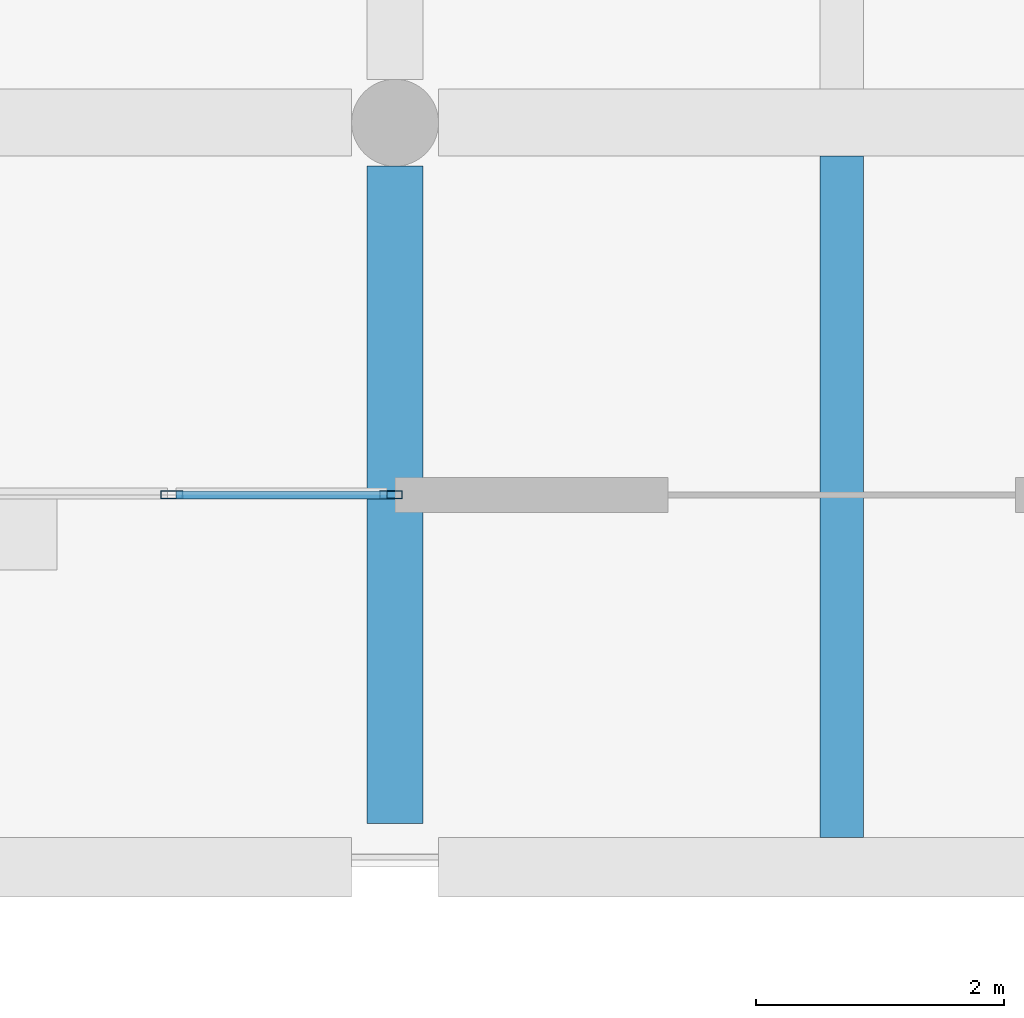
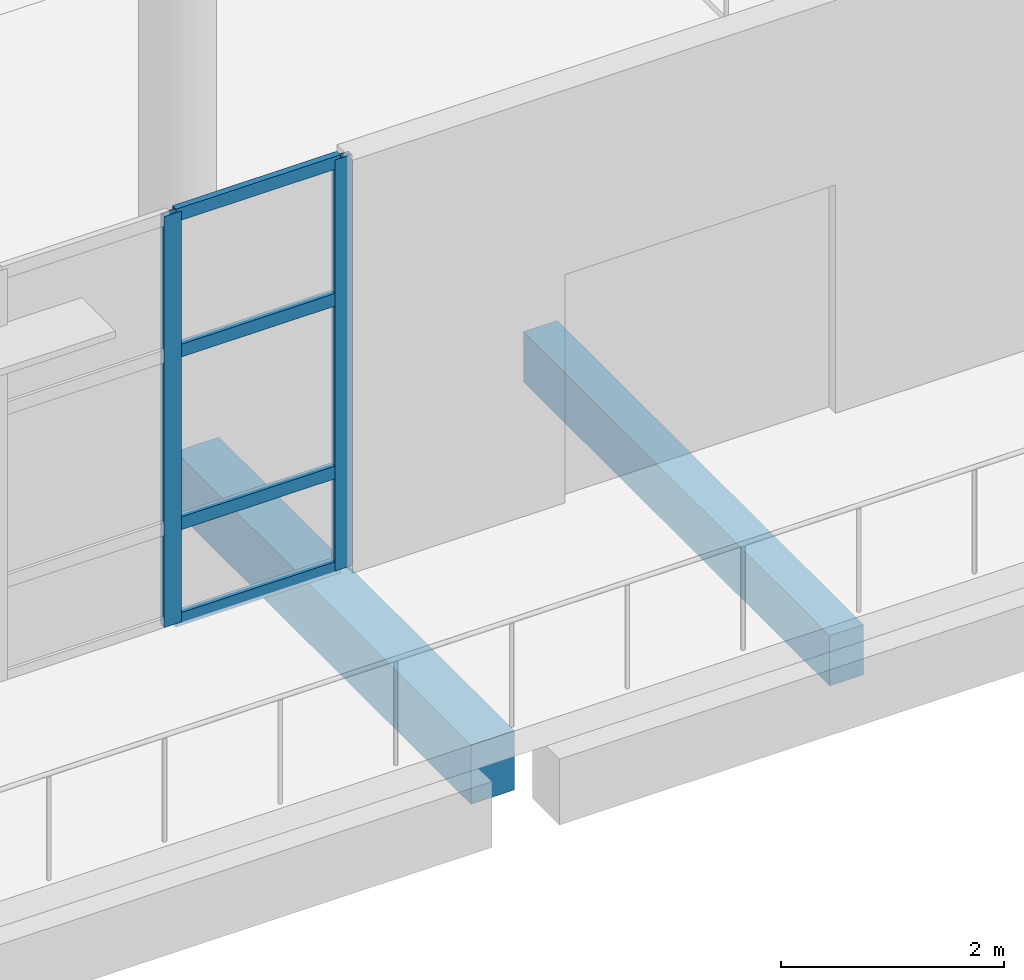
# One storey, part 11 of 79: 6 members, 2 beams, 1 element without a shape of its own.
"""IFC4 building model written with IfcOpenShell, lengths in metres."""

from ifc_helpers import new_model, si_unit, direction, frame, origin, origin_2d, place, context, subcontext, project, spatial, rectangle, hollow_rectangle, extrude, material, material_profile, profile_set, type_object, element, aggregate, save


model = new_model("IFC4")

# Units and contexts
model_context = context("Model", 3, precision=1e-05, world=origin(), true_north=direction((0.0, 1.0)))
body_context = subcontext(model_context, "Body", "Model", "MODEL_VIEW")
ifc_project = project(units=[si_unit("LENGTHUNIT", "METRE"), si_unit("AREAUNIT", "SQUARE_METRE"), si_unit("VOLUMEUNIT", "CUBIC_METRE"), si_unit("PLANEANGLEUNIT", "RADIAN"), si_unit("MASSUNIT", "GRAM", prefix="KILO")], contexts=[model_context])

# Site, building, storey
site_placement = place(None, origin())
site = spatial("IfcSite", under=ifc_project, at=site_placement, CompositionType="ELEMENT")
building_placement = place(site_placement, origin())
building = spatial("IfcBuilding", under=site, at=building_placement, Name="Pellamere Symphony Hall", CompositionType="ELEMENT")
storey_placement = place(building_placement, frame((0.0, 0.0, 10.199951171875)))
storey = spatial("IfcBuildingStorey", under=building, at=storey_placement, Name="L02", CompositionType="ELEMENT", Elevation=10.199951171875)

# Curtain wall, members
ifc_material_1 = material(Name="Thermally Broken Anodised Aluminium 6063-T6 Curtain Wall", Category="aluminium")
curtain_wall_type = type_object("IfcCurtainWallType", Name="Curtain Wall CW-02 (Winter-Garden South Concourse Curtain Wall)", PredefinedType="NOTDEFINED", material=ifc_material_1)
curtain_wall_placement = place(storey_placement, origin())
curtain_wall = element("IfcCurtainWall", 1, at=curtain_wall_placement, inside=storey, type_object=curtain_wall_type, Name="Winter-Garden South Curtain Wall (L02 Bay 3)", PredefinedType="NOTDEFINED")
ifc_material_2 = material(Name="Anodised Architectural Aluminium 6063-T6", Category="aluminium")
ifc_material_profile_1 = material_profile(ifc_material_2, hollow_rectangle(XDim=0.06494140625, YDim=0.179931640625, WallThickness=0.00390625, at=origin_2d()), Name="ALU-M65X180X4")
ifc_profile_set_1 = profile_set([ifc_material_profile_1], Name="Anodised Architectural Aluminium 6063-T6")
member_type_1 = type_object("IfcMemberType", Name="Curtain Wall Mullion ML-02 ALU-M65X180X4", PredefinedType="MULLION", material=ifc_profile_set_1)
member_1_placement = place(storey_placement, frame((64.199951171875, 21.0, 0.0), z_axis=(0.0, 0.0, 1.0), x_axis=(0.0, 1.0, 0.0)))
member_1 = element("IfcMember", 2, at=member_1_placement, type_object=member_type_1, Name="CW2-079 crystal mullion 4", PredefinedType="MULLION", context=body_context, shape_type="SweptSolid", body=[
    extrude(hollow_rectangle(XDim=0.06494140625, YDim=0.179931640625, WallThickness=0.00390625, at=origin_2d()), origin(), (0.0, 0.0, 1.0), 4.5),
])
member_2_placement = place(storey_placement, frame((65.967529296875, 21.0, 0.0), z_axis=(0.0, 0.0, 1.0), x_axis=(0.0, 1.0, 0.0)))
member_2 = element("IfcMember", 3, at=member_2_placement, type_object=member_type_1, Name="CW2-079 crystal mullion 5", PredefinedType="MULLION", context=body_context, shape_type="SweptSolid", body=[
    extrude(hollow_rectangle(XDim=0.06494140625, YDim=0.179931640625, WallThickness=0.00390625, at=origin_2d()), origin(), (0.0, 0.0, 1.0), 4.5),
])
ifc_material_profile_2 = material_profile(ifc_material_2, hollow_rectangle(XDim=0.06494140625, YDim=0.139892578125, WallThickness=0.00390625, at=origin_2d()), Name="ALU-T65X140X4")
ifc_profile_set_2 = profile_set([ifc_material_profile_2], Name="Anodised Architectural Aluminium 6063-T6")
member_type_2 = type_object("IfcMemberType", Name="Curtain Wall Transom TR-02 ALU-T65X140X4", PredefinedType="USERDEFINED", material=ifc_profile_set_2)
member_3_placement = place(storey_placement, frame((64.232421875, 21.0, 0.032470703125), z_axis=(1.0, 0.0, 0.0), x_axis=(0.0, 1.0, 0.0)))
member_3 = element("IfcMember", 4, at=member_3_placement, type_object=member_type_2, Name="CW2-079 crystal transom 4.1", ObjectType="TRANSOM", PredefinedType="USERDEFINED", context=body_context, shape_type="SweptSolid", body=[
    extrude(hollow_rectangle(XDim=0.06494140625, YDim=0.139892578125, WallThickness=0.00390625, at=origin_2d()), origin(), (0.0, 0.0, 1.0), 1.70263671875),
])
member_4_placement = place(storey_placement, frame((64.232421875, 21.0, 1.080078125), z_axis=(1.0, 0.0, 0.0), x_axis=(0.0, 1.0, 0.0)))
member_4 = element("IfcMember", 5, at=member_4_placement, type_object=member_type_2, Name="CW2-079 crystal transom 4.2", ObjectType="TRANSOM", PredefinedType="USERDEFINED", context=body_context, shape_type="SweptSolid", body=[
    extrude(hollow_rectangle(XDim=0.06494140625, YDim=0.139892578125, WallThickness=0.00390625, at=origin_2d()), origin(), (0.0, 0.0, 1.0), 1.70263671875),
])
member_5_placement = place(storey_placement, frame((64.232421875, 21.0, 2.969970703125), z_axis=(1.0, 0.0, 0.0), x_axis=(0.0, 1.0, 0.0)))
member_5 = element("IfcMember", 6, at=member_5_placement, type_object=member_type_2, Name="CW2-079 crystal transom 4.3", ObjectType="TRANSOM", PredefinedType="USERDEFINED", context=body_context, shape_type="SweptSolid", body=[
    extrude(hollow_rectangle(XDim=0.06494140625, YDim=0.139892578125, WallThickness=0.00390625, at=origin_2d()), origin(), (0.0, 0.0, 1.0), 1.70263671875),
])
member_6_placement = place(storey_placement, frame((64.232421875, 21.0, 4.467529296875), z_axis=(1.0, 0.0, 0.0), x_axis=(0.0, 1.0, 0.0)))
member_6 = element("IfcMember", 7, at=member_6_placement, type_object=member_type_2, Name="CW2-079 crystal transom 4.4", ObjectType="TRANSOM", PredefinedType="USERDEFINED", context=body_context, shape_type="SweptSolid", body=[
    extrude(hollow_rectangle(XDim=0.06494140625, YDim=0.139892578125, WallThickness=0.00390625, at=origin_2d()), origin(), (0.0, 0.0, 1.0), 1.70263671875),
])
aggregate(curtain_wall, [member_1, member_2, member_3, member_4, member_5, member_6])

# Beams
ifc_material_3 = material(Name="Concrete 40 MPa", Category="concrete")
ifc_material_profile_3 = material_profile(ifc_material_3, rectangle(XDim=0.449951171875, YDim=0.64990234375, at=origin_2d()), Name="RC 450x650")
ifc_profile_set_3 = profile_set([ifc_material_profile_3], Name="Concrete 40 MPa")
beam_type_1 = type_object("IfcBeamType", Name="RC CB-08 450x650", PredefinedType="BEAM", material=ifc_profile_set_3)
beam_1_placement = place(storey_placement, frame((66.0, 18.35009765625, -0.60498046875), z_axis=(0.0, 1.0, 0.0), x_axis=(-1.0, 0.0, 0.0)))
element("IfcBeam", 8, at=beam_1_placement, inside=storey, type_object=beam_type_1, Name="Girder CB-08-Y1272 (L02)", PredefinedType="BEAM", context=body_context, shape_type="SweptSolid", body=[
    extrude(rectangle(XDim=0.449951171875, YDim=0.64990234375, at=origin_2d()), origin(), (0.0, 0.0, 1.0), 5.2998046875),
])
ifc_material_4 = material(Name="Concrete 35 MPa", Category="concrete")
ifc_material_profile_4 = material_profile(ifc_material_4, rectangle(XDim=0.35009765625, YDim=0.550048828125, at=origin_2d()), Name="RC 350x550")
ifc_profile_set_4 = profile_set([ifc_material_profile_4], Name="Concrete 35 MPa")
beam_type_2 = type_object("IfcBeamType", Name="RC CB-10 350x550", PredefinedType="BEAM", material=ifc_profile_set_4)
beam_2_placement = place(storey_placement, frame((69.60009765625, 18.239990234375, -0.570068359375), z_axis=(0.0, 1.0, 0.0), x_axis=(-1.0, 0.0, 0.0)))
element("IfcBeam", 9, at=beam_2_placement, inside=storey, type_object=beam_type_2, Name="Secondary Floor Beam CB-10-M0802 (L02)", PredefinedType="BEAM", context=body_context, shape_type="SweptSolid", body=[
    extrude(rectangle(XDim=0.35009765625, YDim=0.550048828125, at=origin_2d()), origin(), (0.0, 0.0, 1.0), 5.489990234375),
])

save(model, "model.ifc")
